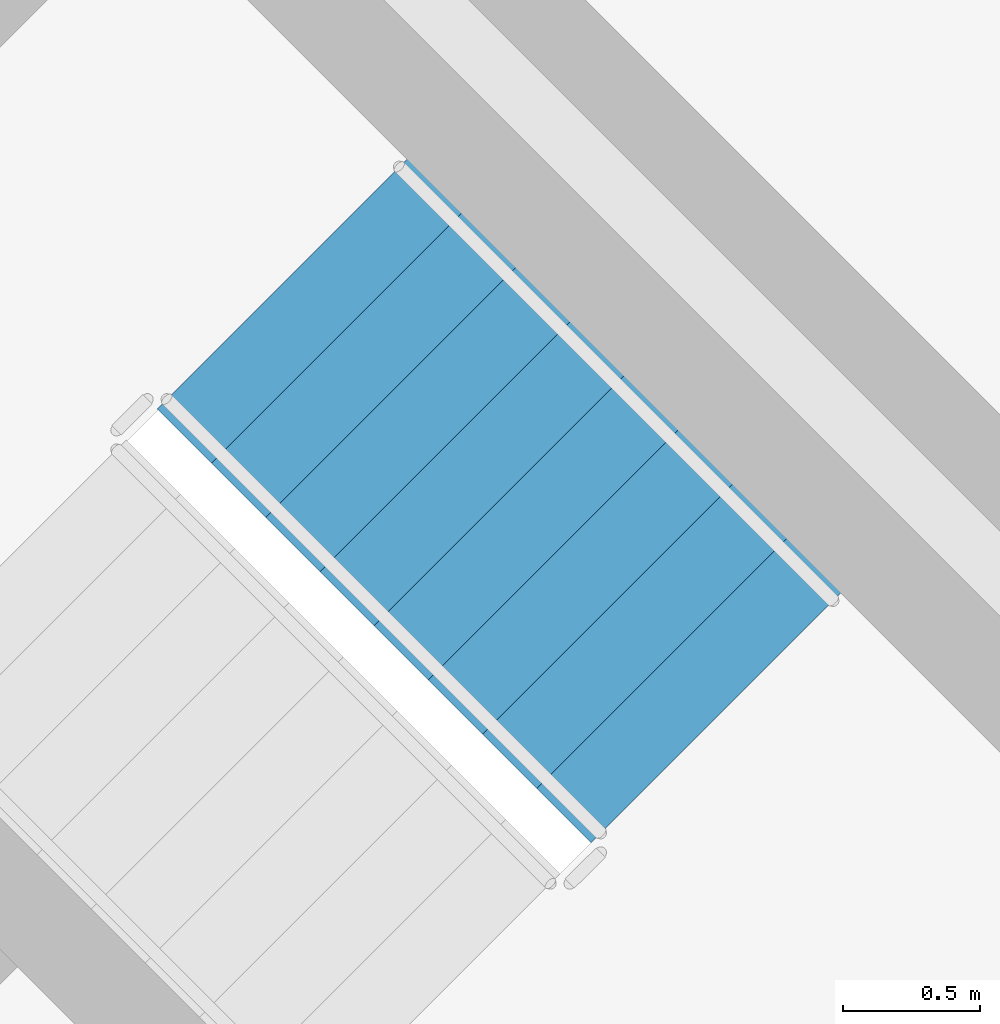
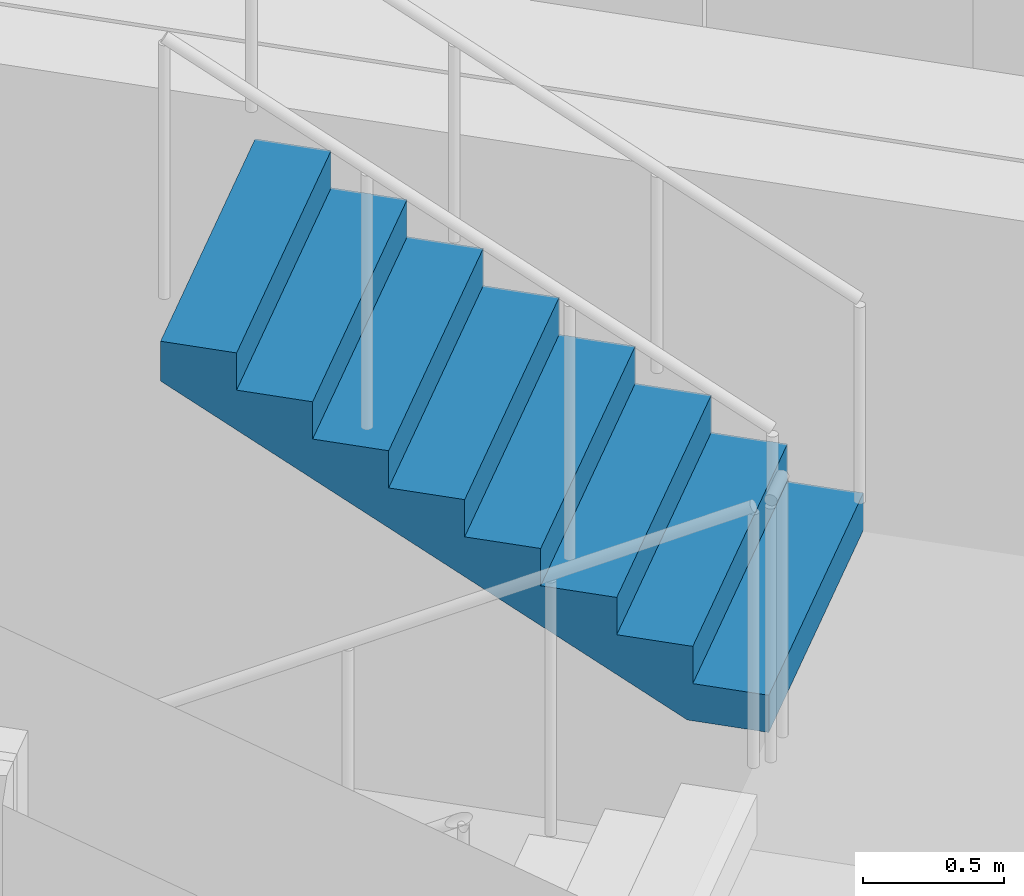
# One storey, part 16 of 19: 1 stair flight, 1 element without a shape of its own.
"""IFC4 building model written with IfcOpenShell, lengths in metres."""

from ifc_helpers import new_model, si_unit, direction, frame, origin, place, context, subcontext, project, spatial, polyline, outline, extrude, material, type_object, element, aggregate, save


model = new_model("IFC4")

# Units and contexts
model_context = context("Model", 3, precision=1e-05, world=origin(), true_north=direction((0.0, 1.0)))
body_context = subcontext(model_context, "Body", "Model", "MODEL_VIEW")
ifc_project = project(units=[si_unit("LENGTHUNIT", "METRE"), si_unit("AREAUNIT", "SQUARE_METRE"), si_unit("VOLUMEUNIT", "CUBIC_METRE"), si_unit("PLANEANGLEUNIT", "RADIAN"), si_unit("MASSUNIT", "GRAM", prefix="KILO")], contexts=[model_context])

# Site, building, storey
site_placement = place(None, origin())
site = spatial("IfcSite", under=ifc_project, at=site_placement, CompositionType="ELEMENT")
building_placement = place(site_placement, origin())
building = spatial("IfcBuilding", under=site, at=building_placement, Name="Cununo Teusaquillo Station Towers", CompositionType="ELEMENT")
storey_placement = place(building_placement, frame((0.0, 0.0, 33.639892578125)))
storey = spatial("IfcBuildingStorey", under=building, at=storey_placement, Name="L09", CompositionType="ELEMENT", Elevation=33.639892578125)

# Stair, stair flight
ifc_material_1 = material(Name="Concrete C50/60", Category="concrete")
stair_type = type_object("IfcStairType", Name="ST-TWR-1300", PredefinedType="HALF_TURN_STAIR", material=ifc_material_1)
stair_placement = place(storey_placement, origin())
stair = element("IfcStair", 1, at=stair_placement, inside=storey, type_object=stair_type, Name="L09 Tower B Protected Core Exit Stair 2", PredefinedType="HALF_TURN_STAIR")
ifc_material_2 = material(Name="Concrete C50/60", Category="concrete")
stair_flight_type = type_object("IfcStairFlightType", Name="SFL-TWR-1300", PredefinedType="STRAIGHT", material=ifc_material_2)
stair_flight_placement = place(storey_placement, frame((63.15673828125, 24.627197265625, 1.455078125), z_axis=(0.0, 0.0, 1.0), x_axis=(-0.707106781187, 0.707106781187, 0.0)))
stair_flight = element("IfcStairFlight", 2, at=stair_flight_placement, type_object=stair_flight_type, Name="ST-T2-2 flight 2", NumberOfRisers=9, NumberOfTreads=8, PredefinedType="STRAIGHT", RiserHeight=0.161666667, TreadLength=0.28, context=body_context, shape_type="SweptSolid", body=[
    extrude(outline(polyline([(0.0, 0.0), (0.0, 0.16162109375), (0.280029296875, 0.16162109375), (0.280029296875, 0.3232421875), (0.56005859375, 0.3232421875), (0.56005859375, 0.485107421875), (0.840087890625, 0.485107421875), (0.840087890625, 0.646728515625), (1.1201171875, 0.646728515625), (1.1201171875, 0.808349609375), (1.39990234375, 0.808349609375), (1.39990234375, 0.969970703125), (1.679931640625, 0.969970703125), (1.679931640625, 1.131591796875), (1.9599609375, 1.131591796875), (1.9599609375, 1.293212890625), (2.239990234375, 1.293212890625), (2.239990234375, 1.455078125), (2.239990234375, 1.1201171875), (0.2998046875, 0.0), (0.0, 0.0)])), frame((0.0, 0.64990234375, 0.0), z_axis=(0.0, -1.0, 0.0), x_axis=(1.0, 0.0, 0.0)), (0.0, 0.0, 1.0), 1.300048828125),
])
aggregate(stair, [stair_flight])

save(model, "model.ifc")
